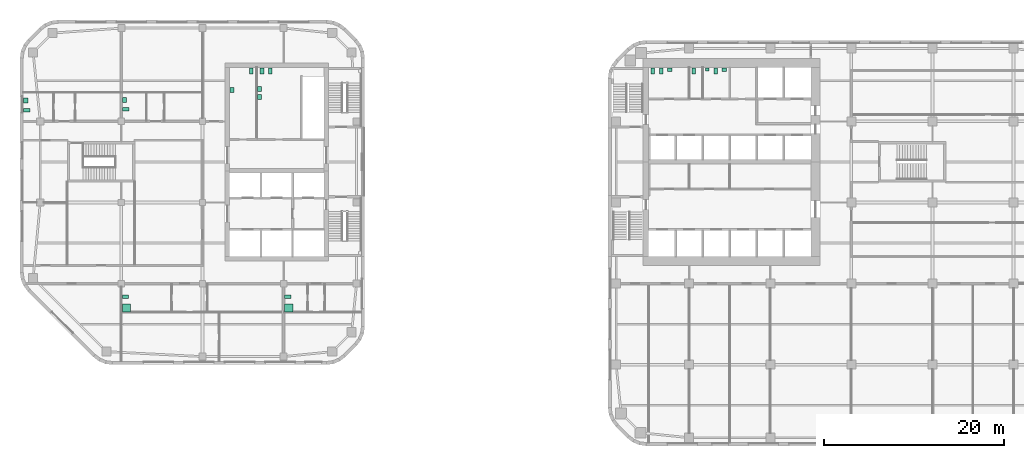
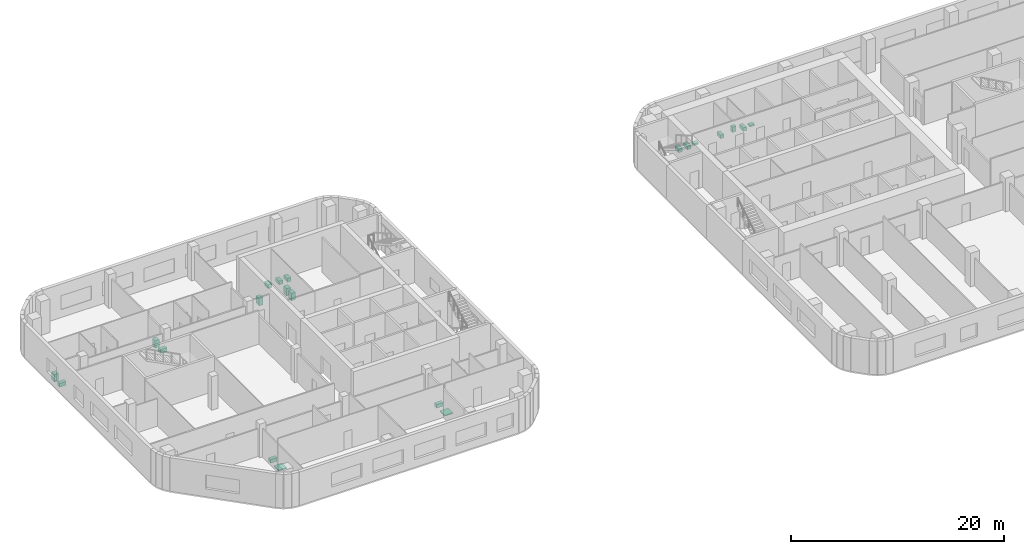
# One storey, part 15 of 15: 21 sanitary terminals.
"""IFC4 building model written with IfcOpenShell, lengths in metres."""

from ifc_helpers import new_model, si_unit, direction, frame, origin, origin_2d, place, context, subcontext, project, spatial, rectangle, extrude, material, type_object, element, save


model = new_model("IFC4")

# Units and contexts
model_context = context("Model", 3, precision=1e-05, world=origin(), true_north=direction((0.0, 1.0)))
body_context = subcontext(model_context, "Body", "Model", "MODEL_VIEW")
ifc_project = project(units=[si_unit("LENGTHUNIT", "METRE"), si_unit("AREAUNIT", "SQUARE_METRE"), si_unit("VOLUMEUNIT", "CUBIC_METRE"), si_unit("PLANEANGLEUNIT", "RADIAN"), si_unit("MASSUNIT", "GRAM", prefix="KILO")], contexts=[model_context])

# Site, building, storey
site_placement = place(None, origin())
site = spatial("IfcSite", under=ifc_project, at=site_placement, CompositionType="ELEMENT")
building_placement = place(site_placement, origin())
building = spatial("IfcBuilding", under=site, at=building_placement, Name="Cinnabar Reach Civic Tower", CompositionType="ELEMENT")
storey_placement = place(building_placement, frame((0.0, 0.0, 59.0)))
storey = spatial("IfcBuildingStorey", under=building, at=storey_placement, Name="L13", CompositionType="ELEMENT", Elevation=59.0)

# Sanitary terminals
ifc_material_1 = material(Name="Vitreous china")
sanitary_terminal_type_1 = type_object("IfcSanitaryTerminalType", Name="T1 WC pan", PredefinedType="TOILETPAN", material=ifc_material_1)
for number, where, z_axis, x_axis, name in (
    (1, (4.95, 41.6, 0.0), (0.0, 0.0, 1.0), (1.0, 0.0, 0.0), "T1 WC pan 1307-1"),
    (2, (5.9, 41.6, 0.0), (0.0, 0.0, 1.0), (1.0, 0.0, 0.0), "T1 WC pan 1307-2"),
    (3, (9.5, 41.6, 0.0), (0.0, 0.0, 1.0), (1.0, 0.0, 0.0), "T1 WC pan 1308-1"),
    (4, (11.95, 41.6, 0.0), (0.0, 0.0, 1.0), (1.0, 0.0, 0.0), "T1 WC pan 1309-2"),
):
    element("IfcSanitaryTerminal", number, at=place(storey_placement, frame(where, z_axis=z_axis, x_axis=x_axis)), inside=storey, type_object=sanitary_terminal_type_1, Name=name, PredefinedType="TOILETPAN", context=body_context, shape_type="SweptSolid", body=[
        extrude(rectangle(XDim=0.4, YDim=0.7, at=origin_2d()), origin(), (0.0, 0.0, 1.0), 0.4),
    ])
sanitary_terminal_type_2 = type_object("IfcSanitaryTerminalType", Name="T1 urinal", PredefinedType="URINAL", material=ifc_material_1)
sanitary_terminal_placement = place(storey_placement, frame((11.0, 41.775, 0.0), z_axis=(0.0, 0.0, 1.0), x_axis=(1.0, 0.0, 0.0)))
element("IfcSanitaryTerminal", 5, at=sanitary_terminal_placement, inside=storey, type_object=sanitary_terminal_type_2, Name="T1 urinal 1309-1", PredefinedType="URINAL", context=body_context, shape_type="SweptSolid", body=[
    extrude(rectangle(XDim=0.4, YDim=0.35, at=origin_2d()), origin(), (0.0, 0.0, 1.0), 0.6),
])
sanitary_terminal_type_3 = type_object("IfcSanitaryTerminalType", Name="T1 wash basin", PredefinedType="WASHHANDBASIN", material=ifc_material_1)
for number, where, z_axis, x_axis, name in (
    (6, (6.85, 41.74, 0.0), (0.0, 0.0, 1.0), (1.0, 0.0, 0.0), "T1 wash basin 1307-3"),
    (7, (12.9, 41.74, 0.0), (0.0, 0.0, 1.0), (1.0, 0.0, 0.0), "T1 wash basin 1309-3"),
):
    element("IfcSanitaryTerminal", number, at=place(storey_placement, frame(where, z_axis=z_axis, x_axis=x_axis)), inside=storey, type_object=sanitary_terminal_type_3, Name=name, PredefinedType="WASHHANDBASIN", context=body_context, shape_type="SweptSolid", body=[
        extrude(rectangle(XDim=0.5, YDim=0.42, at=origin_2d()), origin(), (0.0, 0.0, 1.0), 0.2),
    ])
ifc_material_2 = material(Name="Acrylic tray")
sanitary_terminal_type_4 = type_object("IfcSanitaryTerminalType", Name="T2 Shower tray", PredefinedType="SHOWER", material=ifc_material_2)
for number, where, z_axis, x_axis, name in (
    (8, (-53.45, 15.3, 0.0), (0.0, 0.0, 1.0), (1.0, 0.0, 0.0), "Shower tray"),
    (9, (-35.425, 15.3, 0.0), (0.0, 0.0, 1.0), (1.0, 0.0, 0.0), "Shower tray"),
):
    element("IfcSanitaryTerminal", number, at=place(storey_placement, frame(where, z_axis=z_axis, x_axis=x_axis)), inside=storey, type_object=sanitary_terminal_type_4, Name=name, PredefinedType="SHOWER", context=body_context, shape_type="SweptSolid", body=[
        extrude(rectangle(XDim=0.9, YDim=0.9, at=origin_2d()), origin(), (0.0, 0.0, 1.0), 0.1),
    ])
sanitary_terminal_type_5 = type_object("IfcSanitaryTerminalType", Name="T2 WC pan", PredefinedType="TOILETPAN", material=ifc_material_1)
for number, where, z_axis, x_axis, name in (
    (10, (-39.6, 41.6, 0.0), (0.0, 0.0, 1.0), (1.0, 0.0, 0.0), "WC pan"),
    (11, (-38.4, 41.6, 0.0), (0.0, 0.0, 1.0), (1.0, 0.0, 0.0), "WC pan"),
    (12, (-37.5, 41.6, 0.0), (0.0, 0.0, 1.0), (1.0, 0.0, 0.0), "WC pan"),
):
    element("IfcSanitaryTerminal", number, at=place(storey_placement, frame(where, z_axis=z_axis, x_axis=x_axis)), inside=storey, type_object=sanitary_terminal_type_5, Name=name, PredefinedType="TOILETPAN", context=body_context, shape_type="SweptSolid", body=[
        extrude(rectangle(XDim=0.4, YDim=0.7, at=origin_2d()), origin(), (0.0, 0.0, 1.0), 0.42),
    ])
for number, where, z_axis, x_axis, name in (
    (13, (-53.55, 16.55, 0.0), (0.0, 0.0, 1.0), (1.0, 0.0, 0.0), "WC pan"),
    (14, (-35.525, 16.55, 0.0), (0.0, 0.0, 1.0), (1.0, 0.0, 0.0), "WC pan"),
    (15, (-64.49, 37.25, 0.0), (0.0, 0.0, 1.0), (1.0, 0.0, 0.0), "WC pan"),
    (16, (-53.525, 37.325, 0.0), (0.0, 0.0, 1.0), (1.0, 0.0, 0.0), "WC pan"),
):
    element("IfcSanitaryTerminal", number, at=place(storey_placement, frame(where, z_axis=z_axis, x_axis=x_axis)), inside=storey, type_object=sanitary_terminal_type_5, Name=name, PredefinedType="TOILETPAN", context=body_context, shape_type="SweptSolid", body=[
        extrude(rectangle(XDim=0.7, YDim=0.4, at=origin_2d()), origin(), (0.0, 0.0, 1.0), 0.42),
    ])
sanitary_terminal_type_6 = type_object("IfcSanitaryTerminalType", Name="T2 Wash basin", PredefinedType="WASHHANDBASIN", material=ifc_material_1)
for number, where, z_axis, x_axis, name in (
    (17, (-41.725, 39.5, 0.0), (0.0, 0.0, 1.0), (1.0, 0.0, 0.0), "Wash basin"),
    (18, (-38.675, 39.6, 0.0), (0.0, 0.0, 1.0), (1.0, 0.0, 0.0), "Wash basin"),
    (19, (-38.675, 38.7, 0.0), (0.0, 0.0, 1.0), (1.0, 0.0, 0.0), "Wash basin"),
    (20, (-64.615, 38.3, 0.0), (0.0, 0.0, 1.0), (1.0, 0.0, 0.0), "Wash basin"),
    (21, (-53.65, 38.375, 0.0), (0.0, 0.0, 1.0), (1.0, 0.0, 0.0), "Wash basin"),
):
    element("IfcSanitaryTerminal", number, at=place(storey_placement, frame(where, z_axis=z_axis, x_axis=x_axis)), inside=storey, type_object=sanitary_terminal_type_6, Name=name, PredefinedType="WASHHANDBASIN", context=body_context, shape_type="SweptSolid", body=[
        extrude(rectangle(XDim=0.45, YDim=0.55, at=origin_2d()), origin(), (0.0, 0.0, 1.0), 0.85),
    ])

save(model, "model.ifc")
